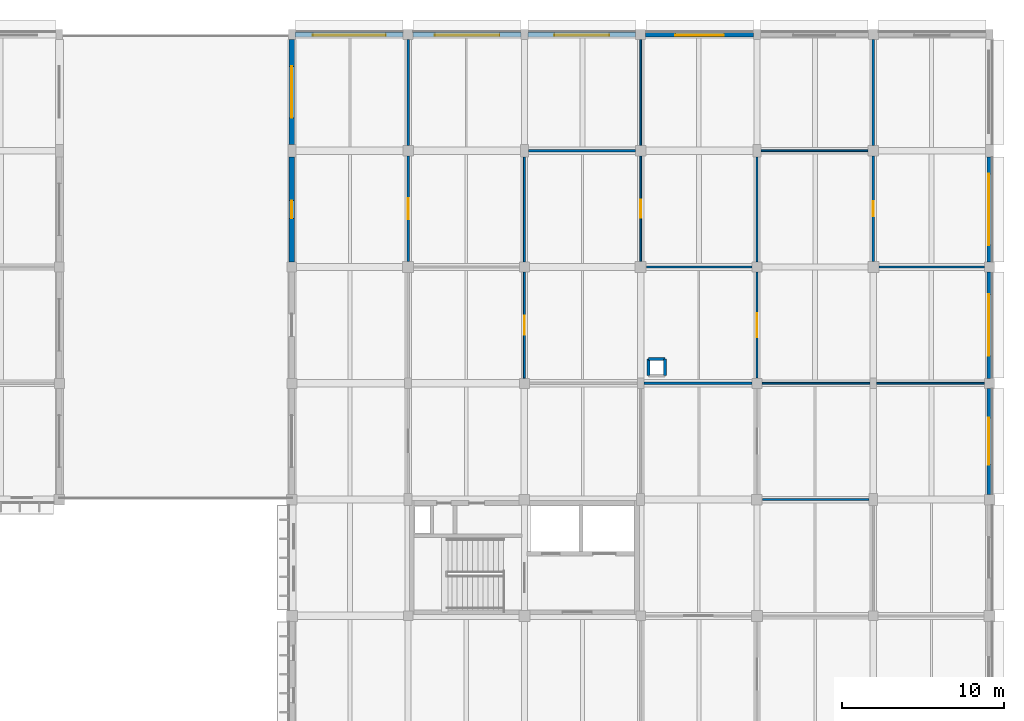
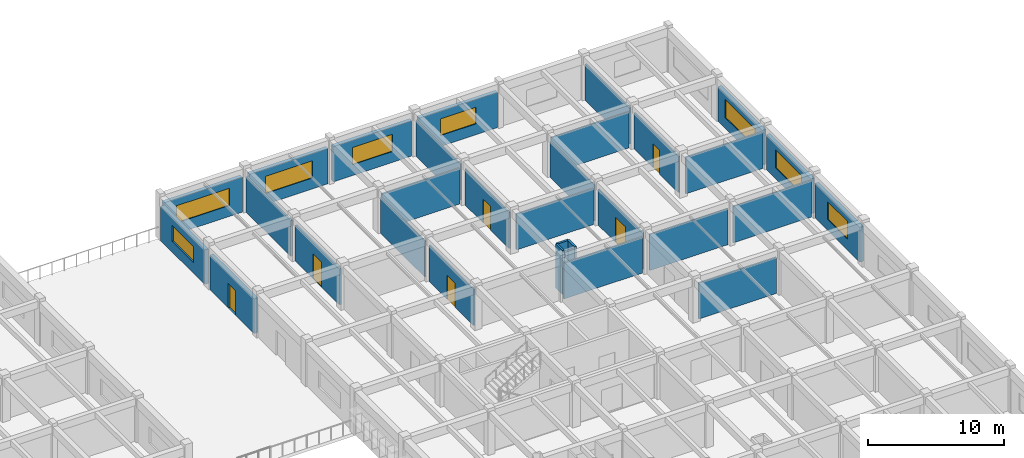
# One storey, part 94 of 103: 30 walls, 8 windows, 6 doors, 14 openings.
"""IFC4 building model written with IfcOpenShell, lengths in metres."""

from ifc_helpers import new_model, si_unit, direction, frame, frame_2d, origin, place, context, subcontext, project, spatial, rectangle, extrude, material, layer, layer_set, type_object, element, fill, save


model = new_model("IFC4")

# Units and contexts
model_context = context("Model", 3, precision=1e-05, world=origin(), true_north=direction((0.0, 1.0)))
body_context = subcontext(model_context, "Body", "Model", "MODEL_VIEW")
ifc_project = project(units=[si_unit("LENGTHUNIT", "METRE"), si_unit("AREAUNIT", "SQUARE_METRE"), si_unit("VOLUMEUNIT", "CUBIC_METRE"), si_unit("PLANEANGLEUNIT", "RADIAN"), si_unit("MASSUNIT", "GRAM", prefix="KILO")], contexts=[model_context])

# Site, building, storey
site_placement = place(None, origin())
site = spatial("IfcSite", under=ifc_project, at=site_placement, CompositionType="ELEMENT")
building_placement = place(site_placement, origin())
building = spatial("IfcBuilding", under=site, at=building_placement, Name="Thalmaran Polytechnic", CompositionType="ELEMENT")
storey_placement = place(building_placement, frame((0.0, 0.0, 14.39990234375)))
storey = spatial("IfcBuildingStorey", under=building, at=storey_placement, Name="L03", CompositionType="ELEMENT", Elevation=14.39990234375)

# Wall, opening, door
ifc_material_1 = material(Name="Precast concrete C40/50", Category="concrete")
ifc_layer_1 = layer(ifc_material_1, 0.330078125, Name="Precast concrete C40/50")
ifc_layer_set_1 = layer_set([ifc_layer_1], Name="Precast concrete C40/50")
wall_type_1 = type_object("IfcWallType", Name="WL-EW02", PredefinedType="STANDARD", material=ifc_layer_set_1)
wall_1_placement = place(storey_placement, frame((129.60009765625, 108.300048828125, 0.0), z_axis=(0.0, 0.0, 1.0), x_axis=(0.0, 1.0, 0.0)))
wall_1 = element("IfcWall", 1, at=wall_1_placement, inside=storey, type_object=wall_type_1, Name="Terrace Access Wall L03-002", PredefinedType="STANDARD", context=body_context, shape_type="SweptSolid", body=[
    extrude(rectangle(XDim=6.52490234375, YDim=0.330078125, at=frame_2d((3.262451171875, 0.0))), origin(), (0.0, 0.0, 1.0), 3.110107421875),
])
opening_1_placement = place(wall_1_placement, frame((2.71240234375, 0.0, 0.0)))
opening_1 = element("IfcOpeningElement", 2, at=opening_1_placement, cuts=wall_1, Name="Opening TD-004", PredefinedType="OPENING", context=body_context, shape_type="SweptSolid", body=[
    extrude(rectangle(XDim=1.10009765625, YDim=2.199951171875, at=frame_2d((0.550048828125, 1.10009765625))), frame((0.0, 0.175048828125, 0.0), z_axis=(0.0, -1.0, 0.0), x_axis=(1.0, 0.0, 0.0)), (0.0, 0.0, 1.0), 0.35009765625),
])
ifc_material_2 = material(Name="Anodised aluminium and safety glass", Category="aluminium")
door_type_1 = type_object("IfcDoorType", Name="DR-TD02", OperationType="NOTDEFINED", PredefinedType="DOOR", material=ifc_material_2)
door_1_placement = place(opening_1_placement, origin())
door_1 = element("IfcDoor", 3, at=door_1_placement, inside=storey, type_object=door_type_1, Name="Terrace Access Door TD-004", OperationType="SINGLE_SWING_RIGHT", OverallHeight=2.199951171875, OverallWidth=1.10009765625, PredefinedType="DOOR", context=body_context, shape_type="SweptSolid", body=[
    extrude(rectangle(XDim=1.10009765625, YDim=2.199951171875, at=frame_2d((0.550048828125, 1.10009765625))), frame((0.0, 0.02490234375, 0.0), z_axis=(0.0, -1.0, 0.0), x_axis=(1.0, 0.0, 0.0)), (0.0, 0.0, 1.0), 0.050048828125),
])
fill(opening_1, door_1)

# Wall, opening, window
wall_2_placement = place(storey_placement, frame((129.60009765625, 115.574951171875, 0.0), z_axis=(0.0, 0.0, 1.0), x_axis=(0.0, 1.0, 0.0)))
wall_2 = element("IfcWall", 4, at=wall_2_placement, inside=storey, type_object=wall_type_1, Name="Terrace Access Wall L03-003", PredefinedType="STANDARD", context=body_context, shape_type="SweptSolid", body=[
    extrude(rectangle(XDim=6.505126953125, YDim=0.330078125, at=frame_2d((3.25244140625, 0.0))), origin(), (0.0, 0.0, 1.0), 3.110107421875),
])
opening_2_placement = place(wall_2_placement, frame((1.652587890625, 0.0, 0.949951171875)))
opening_2 = element("IfcOpeningElement", 5, at=opening_2_placement, cuts=wall_2, Name="Opening RW04", PredefinedType="OPENING", context=body_context, shape_type="SweptSolid", body=[
    extrude(rectangle(XDim=3.199951171875, YDim=1.449951171875, at=frame_2d((1.60009765625, 0.72509765625))), frame((0.0, 0.175048828125, 0.0), z_axis=(0.0, -1.0, 0.0), x_axis=(1.0, 0.0, 0.0)), (0.0, 0.0, 1.0), 0.35009765625),
])
ifc_material_3 = material(Name="Thermally broken aluminium and double low-E glass", Category="aluminium")
window_type_1 = type_object("IfcWindowType", Name="WN-RW04", PartitioningType="DOUBLE_PANEL_VERTICAL", PredefinedType="WINDOW", material=ifc_material_3)
window_1_placement = place(opening_2_placement, origin())
window_1 = element("IfcWindow", 6, at=window_1_placement, inside=storey, type_object=window_type_1, Name="Terrace Ribbon Window W-0392", OverallHeight=1.449951171875, OverallWidth=3.199951171875, PartitioningType="SINGLE_PANEL", PredefinedType="WINDOW", context=body_context, shape_type="SweptSolid", body=[
    extrude(rectangle(XDim=3.199951171875, YDim=1.449951171875, at=frame_2d((1.60009765625, 0.72509765625))), frame((0.0, 0.030029296875, 0.0), z_axis=(0.0, -1.0, 0.0), x_axis=(1.0, 0.0, 0.0)), (0.0, 0.0, 1.0), 0.06005859375),
])
fill(opening_2, window_1)

ifc_layer_2 = layer(ifc_material_1, 0.31005859375, Name="Precast concrete C40/50")
ifc_layer_set_2 = layer_set([ifc_layer_2], Name="Precast concrete C40/50")
wall_type_2 = type_object("IfcWallType", Name="WL-EW03", PredefinedType="STANDARD", material=ifc_layer_set_2)
wall_3_placement = place(storey_placement, frame((129.81005859375, 122.39990234375, 0.0), z_axis=(0.0, 0.0, 1.0), x_axis=(1.0, 0.0, 0.0)))
wall_3 = element("IfcWall", 7, at=wall_3_placement, inside=storey, type_object=wall_type_2, Name="Exterior Precast Facade Wall L03-004", PredefinedType="STANDARD", context=body_context, shape_type="SweptSolid", body=[
    extrude(rectangle(XDim=6.679931640625, YDim=0.31005859375, at=frame_2d((3.33984375, 0.0))), origin(), (0.0, 0.0, 1.0), 3.16015625),
])
opening_3_placement = place(wall_3_placement, frame((1.090087890625, 0.0, 0.97998046875)))
opening_3 = element("IfcOpeningElement", 8, at=opening_3_placement, cuts=wall_3, Name="Opening VW01", PredefinedType="OPENING", context=body_context, shape_type="SweptSolid", body=[
    extrude(rectangle(XDim=4.5, YDim=1.550048828125, at=frame_2d((2.25, 0.77490234375))), frame((0.0, 0.1650390625, 0.0), z_axis=(0.0, -1.0, 0.0), x_axis=(1.0, 0.0, 0.0)), (0.0, 0.0, 1.0), 0.330078125),
])
window_type_2 = type_object("IfcWindowType", Name="WN-VZ01", PartitioningType="TRIPLE_PANEL_HORIZONTAL", PredefinedType="WINDOW", material=ifc_material_3)
window_2_placement = place(opening_3_placement, origin())
window_2 = element("IfcWindow", 9, at=window_2_placement, inside=storey, type_object=window_type_2, Name="Streamline Ribbon Window W-0393", OverallHeight=1.550048828125, OverallWidth=4.5, PartitioningType="SINGLE_PANEL", PredefinedType="WINDOW", context=body_context, shape_type="SweptSolid", body=[
    extrude(rectangle(XDim=4.5, YDim=1.550048828125, at=frame_2d((2.25, 0.77490234375))), frame((0.0, -0.030029296875, 0.0), z_axis=(0.0, -1.0, 0.0), x_axis=(1.0, 0.0, 0.0)), (0.0, 0.0, 1.0), 0.06005859375),
])
fill(opening_3, window_2)

wall_4_placement = place(storey_placement, frame((137.110107421875, 122.39990234375, 0.0), z_axis=(0.0, 0.0, 1.0), x_axis=(1.0, 0.0, 0.0)))
wall_4 = element("IfcWall", 10, at=wall_4_placement, inside=storey, type_object=wall_type_2, Name="Exterior Precast Facade Wall L03-005", PredefinedType="STANDARD", context=body_context, shape_type="SweptSolid", body=[
    extrude(rectangle(XDim=6.679931640625, YDim=0.31005859375, at=frame_2d((3.33984375, 0.0))), origin(), (0.0, 0.0, 1.0), 3.18505859375),
])
opening_4_placement = place(wall_4_placement, frame((1.340087890625, 0.0, 0.97998046875)))
opening_4 = element("IfcOpeningElement", 11, at=opening_4_placement, cuts=wall_4, Name="Opening VW02", PredefinedType="OPENING", context=body_context, shape_type="SweptSolid", body=[
    extrude(rectangle(XDim=4.0, YDim=1.550048828125, at=frame_2d((2.0, 0.77490234375))), frame((0.0, 0.1650390625, 0.0), z_axis=(0.0, -1.0, 0.0), x_axis=(1.0, 0.0, 0.0)), (0.0, 0.0, 1.0), 0.330078125),
])
window_type_3 = type_object("IfcWindowType", Name="WN-VZ02", PartitioningType="TRIPLE_PANEL_HORIZONTAL", PredefinedType="WINDOW", material=ifc_material_3)
window_3_placement = place(opening_4_placement, origin())
window_3 = element("IfcWindow", 12, at=window_3_placement, inside=storey, type_object=window_type_3, Name="Streamline Ribbon Window W-0394", OverallHeight=1.550048828125, OverallWidth=4.0, PartitioningType="SINGLE_PANEL", PredefinedType="WINDOW", context=body_context, shape_type="SweptSolid", body=[
    extrude(rectangle(XDim=4.0, YDim=1.550048828125, at=frame_2d((2.0, 0.77490234375))), frame((0.0, -0.030029296875, 0.0), z_axis=(0.0, -1.0, 0.0), x_axis=(1.0, 0.0, 0.0)), (0.0, 0.0, 1.0), 0.06005859375),
])
fill(opening_4, window_3)

wall_5_placement = place(storey_placement, frame((144.2099609375, 122.39990234375, 0.0), z_axis=(0.0, 0.0, 1.0), x_axis=(1.0, 0.0, 0.0)))
wall_5 = element("IfcWall", 13, at=wall_5_placement, inside=storey, type_object=wall_type_2, Name="Exterior Precast Facade Wall L03-006", PredefinedType="STANDARD", context=body_context, shape_type="SweptSolid", body=[
    extrude(rectangle(XDim=6.679931640625, YDim=0.31005859375, at=frame_2d((3.33984375, 0.0))), origin(), (0.0, 0.0, 1.0), 3.18505859375),
])
opening_5_placement = place(wall_5_placement, frame((1.639892578125, 0.0, 0.97998046875)))
opening_5 = element("IfcOpeningElement", 14, at=opening_5_placement, cuts=wall_5, Name="Opening VW03", PredefinedType="OPENING", context=body_context, shape_type="SweptSolid", body=[
    extrude(rectangle(XDim=3.39990234375, YDim=1.550048828125, at=frame_2d((1.699951171875, 0.77490234375))), frame((0.0, 0.1650390625, 0.0), z_axis=(0.0, -1.0, 0.0), x_axis=(1.0, 0.0, 0.0)), (0.0, 0.0, 1.0), 0.330078125),
])
window_type_4 = type_object("IfcWindowType", Name="WN-VZ03", PartitioningType="DOUBLE_PANEL_VERTICAL", PredefinedType="WINDOW", material=ifc_material_3)
window_4_placement = place(opening_5_placement, origin())
window_4 = element("IfcWindow", 15, at=window_4_placement, inside=storey, type_object=window_type_4, Name="Streamline Ribbon Window W-0395", OverallHeight=1.550048828125, OverallWidth=3.39990234375, PartitioningType="SINGLE_PANEL", PredefinedType="WINDOW", context=body_context, shape_type="SweptSolid", body=[
    extrude(rectangle(XDim=3.39990234375, YDim=1.550048828125, at=frame_2d((1.699951171875, 0.77490234375))), frame((0.0, -0.030029296875, 0.0), z_axis=(0.0, -1.0, 0.0), x_axis=(1.0, 0.0, 0.0)), (0.0, 0.0, 1.0), 0.06005859375),
])
fill(opening_5, window_4)

wall_6_placement = place(storey_placement, frame((151.510009765625, 122.39990234375, 0.0), z_axis=(0.0, 0.0, 1.0), x_axis=(1.0, 0.0, 0.0)))
wall_6 = element("IfcWall", 16, at=wall_6_placement, inside=storey, type_object=wall_type_2, Name="Exterior Precast Facade Wall L03-007", PredefinedType="STANDARD", context=body_context, shape_type="SweptSolid", body=[
    extrude(rectangle(XDim=6.679931640625, YDim=0.31005859375, at=frame_2d((3.33984375, 0.0))), origin(), (0.0, 0.0, 1.0), 3.18505859375),
])
opening_6_placement = place(wall_6_placement, frame((1.840087890625, 0.0, 0.97998046875)))
opening_6 = element("IfcOpeningElement", 17, at=opening_6_placement, cuts=wall_6, Name="Opening VW04", PredefinedType="OPENING", context=body_context, shape_type="SweptSolid", body=[
    extrude(rectangle(XDim=3.0, YDim=1.5, at=frame_2d((1.5, 0.75))), frame((0.0, 0.1650390625, 0.0), z_axis=(0.0, -1.0, 0.0), x_axis=(1.0, 0.0, 0.0)), (0.0, 0.0, 1.0), 0.330078125),
])
window_type_5 = type_object("IfcWindowType", Name="WN-VZ04", PartitioningType="DOUBLE_PANEL_VERTICAL", PredefinedType="WINDOW", material=ifc_material_3)
window_5_placement = place(opening_6_placement, origin())
window_5 = element("IfcWindow", 18, at=window_5_placement, inside=storey, type_object=window_type_5, Name="Streamline Ribbon Window W-0396", OverallHeight=1.5, OverallWidth=3.0, PartitioningType="SINGLE_PANEL", PredefinedType="WINDOW", context=body_context, shape_type="SweptSolid", body=[
    extrude(rectangle(XDim=3.0, YDim=1.5, at=frame_2d((1.5, 0.75))), frame((0.0, -0.030029296875, 0.0), z_axis=(0.0, -1.0, 0.0), x_axis=(1.0, 0.0, 0.0)), (0.0, 0.0, 1.0), 0.06005859375),
])
fill(opening_6, window_5)

wall_7_placement = place(storey_placement, frame((172.800048828125, 114.824951171875, 0.0), z_axis=(0.0, 0.0, 1.0), x_axis=(0.0, -1.0, 0.0)))
wall_7 = element("IfcWall", 19, at=wall_7_placement, inside=storey, type_object=wall_type_2, Name="Exterior Precast Facade Wall L03-011", PredefinedType="STANDARD", context=body_context, shape_type="SweptSolid", body=[
    extrude(rectangle(XDim=6.52490234375, YDim=0.31005859375, at=frame_2d((3.262451171875, 0.0))), origin(), (0.0, 0.0, 1.0), 3.135009765625),
])
opening_7_placement = place(wall_7_placement, frame((1.0625, 0.0, 0.97998046875)))
opening_7 = element("IfcOpeningElement", 20, at=opening_7_placement, cuts=wall_7, Name="Opening VW16", PredefinedType="OPENING", context=body_context, shape_type="SweptSolid", body=[
    extrude(rectangle(XDim=4.39990234375, YDim=1.64990234375, at=frame_2d((2.199951171875, 0.824951171875))), frame((0.0, 0.1650390625, 0.0), z_axis=(0.0, -1.0, 0.0), x_axis=(1.0, 0.0, 0.0)), (0.0, 0.0, 1.0), 0.330078125),
])
window_type_6 = type_object("IfcWindowType", Name="WN-VZ16", PartitioningType="TRIPLE_PANEL_HORIZONTAL", PredefinedType="WINDOW", material=ifc_material_3)
window_6_placement = place(opening_7_placement, origin())
window_6 = element("IfcWindow", 21, at=window_6_placement, inside=storey, type_object=window_type_6, Name="Streamline Ribbon Window W-0400", OverallHeight=1.64990234375, OverallWidth=4.39990234375, PartitioningType="SINGLE_PANEL", PredefinedType="WINDOW", context=body_context, shape_type="SweptSolid", body=[
    extrude(rectangle(XDim=4.39990234375, YDim=1.64990234375, at=frame_2d((2.199951171875, 0.824951171875))), frame((0.0, -0.030029296875, 0.0), z_axis=(0.0, -1.0, 0.0), x_axis=(1.0, 0.0, 0.0)), (0.0, 0.0, 1.0), 0.06005859375),
])
fill(opening_7, window_6)

wall_8_placement = place(storey_placement, frame((172.800048828125, 107.699951171875, 0.0), z_axis=(0.0, 0.0, 1.0), x_axis=(0.0, -1.0, 0.0)))
wall_8 = element("IfcWall", 22, at=wall_8_placement, inside=storey, type_object=wall_type_2, Name="Exterior Precast Facade Wall L03-012", PredefinedType="STANDARD", context=body_context, shape_type="SweptSolid", body=[
    extrude(rectangle(XDim=6.58984375, YDim=0.31005859375, at=frame_2d((3.294921875, 0.0))), origin(), (0.0, 0.0, 1.0), 3.135009765625),
])
opening_8_placement = place(wall_8_placement, frame((1.39501953125, 0.0, 0.97998046875)))
opening_8 = element("IfcOpeningElement", 23, at=opening_8_placement, cuts=wall_8, Name="Opening VW17", PredefinedType="OPENING", context=body_context, shape_type="SweptSolid", body=[
    extrude(rectangle(XDim=3.800048828125, YDim=1.60009765625, at=frame_2d((1.89990234375, 0.800048828125))), frame((0.0, 0.1650390625, 0.0), z_axis=(0.0, -1.0, 0.0), x_axis=(1.0, 0.0, 0.0)), (0.0, 0.0, 1.0), 0.330078125),
])
window_type_7 = type_object("IfcWindowType", Name="WN-VZ17", PartitioningType="DOUBLE_PANEL_VERTICAL", PredefinedType="WINDOW", material=ifc_material_3)
window_7_placement = place(opening_8_placement, origin())
window_7 = element("IfcWindow", 24, at=window_7_placement, inside=storey, type_object=window_type_7, Name="Streamline Ribbon Window W-0401", OverallHeight=1.60009765625, OverallWidth=3.800048828125, PartitioningType="SINGLE_PANEL", PredefinedType="WINDOW", context=body_context, shape_type="SweptSolid", body=[
    extrude(rectangle(XDim=3.800048828125, YDim=1.60009765625, at=frame_2d((1.89990234375, 0.800048828125))), frame((0.0, -0.030029296875, 0.0), z_axis=(0.0, -1.0, 0.0), x_axis=(1.0, 0.0, 0.0)), (0.0, 0.0, 1.0), 0.06005859375),
])
fill(opening_8, window_7)

wall_9_placement = place(storey_placement, frame((172.800048828125, 100.489990234375, 0.0), z_axis=(0.0, 0.0, 1.0), x_axis=(0.0, -1.0, 0.0)))
wall_9 = element("IfcWall", 25, at=wall_9_placement, inside=storey, type_object=wall_type_2, Name="Exterior Precast Facade Wall L03-013", PredefinedType="STANDARD", context=body_context, shape_type="SweptSolid", body=[
    extrude(rectangle(XDim=6.56494140625, YDim=0.31005859375, at=frame_2d((3.282470703125, 0.0))), origin(), (0.0, 0.0, 1.0), 3.135009765625),
])
opening_9_placement = place(wall_9_placement, frame((1.83251953125, 0.0, 0.97998046875)))
opening_9 = element("IfcOpeningElement", 26, at=opening_9_placement, cuts=wall_9, Name="Opening VW18", PredefinedType="OPENING", context=body_context, shape_type="SweptSolid", body=[
    extrude(rectangle(XDim=2.89990234375, YDim=1.60009765625, at=frame_2d((1.449951171875, 0.800048828125))), frame((0.0, 0.1650390625, 0.0), z_axis=(0.0, -1.0, 0.0), x_axis=(1.0, 0.0, 0.0)), (0.0, 0.0, 1.0), 0.330078125),
])
window_type_8 = type_object("IfcWindowType", Name="WN-VZ18", PartitioningType="DOUBLE_PANEL_VERTICAL", PredefinedType="WINDOW", material=ifc_material_3)
window_8_placement = place(opening_9_placement, origin())
window_8 = element("IfcWindow", 27, at=window_8_placement, inside=storey, type_object=window_type_8, Name="Streamline Ribbon Window W-0402", OverallHeight=1.60009765625, OverallWidth=2.89990234375, PartitioningType="SINGLE_PANEL", PredefinedType="WINDOW", context=body_context, shape_type="SweptSolid", body=[
    extrude(rectangle(XDim=2.89990234375, YDim=1.60009765625, at=frame_2d((1.449951171875, 0.800048828125))), frame((0.0, -0.030029296875, 0.0), z_axis=(0.0, -1.0, 0.0), x_axis=(1.0, 0.0, 0.0)), (0.0, 0.0, 1.0), 0.06005859375),
])
fill(opening_9, window_8)

# Walls
ifc_material_4 = material(Name="Autoclaved aerated masonry", Category="masonry")
ifc_layer_3 = layer(ifc_material_4, 0.179931640625, Name="Autoclaved aerated masonry")
ifc_layer_set_3 = layer_set([ifc_layer_3], Name="Autoclaved aerated masonry")
wall_type_3 = type_object("IfcWallType", Name="WL-IW04", PredefinedType="PARTITIONING", material=ifc_layer_set_3)
for number, where, z_axis, x_axis, name in (
    (28, (152.7099609375, 101.2900390625, 0.0), (0.0, 0.0, 1.0), (0.0, 1.0, 0.0), "Fume Exhaust Riser Shaft Wall L03 (21,14)-E"),
    (29, (152.7099609375, 102.31005859375, 0.0), (0.0, 0.0, 1.0), (-1.0, 0.0, 0.0), "Fume Exhaust Riser Shaft Wall L03 (21,14)-N"),
    (30, (151.68994140625, 102.31005859375, 0.0), (0.0, 0.0, 1.0), (0.0, -1.0, 0.0), "Fume Exhaust Riser Shaft Wall L03 (21,14)-W"),
):
    element("IfcWall", number, at=place(storey_placement, frame(where, z_axis=z_axis, x_axis=x_axis)), inside=storey, type_object=wall_type_3, Name=name, PredefinedType="PARTITIONING", context=body_context, shape_type="SweptSolid", body=[
        extrude(rectangle(XDim=1.02001953125, YDim=0.179931640625, at=frame_2d((0.510009765625, 0.0))), origin(), (0.0, 0.0, 1.0), 3.940185546875),
    ])

# Wall, opening, door
ifc_material_5 = material(Name="Gypsum acoustic partition")
ifc_layer_4 = layer(ifc_material_5, 0.159912109375, Name="Gypsum acoustic partition")
ifc_layer_set_4 = layer_set([ifc_layer_4], Name="Gypsum acoustic partition")
wall_type_4 = type_object("IfcWallType", Name="WL-IW05", PredefinedType="PARTITIONING", material=ifc_layer_set_4)
wall_10_placement = place(storey_placement, frame((136.800048828125, 108.344970703125, 0.0), z_axis=(0.0, 0.0, 1.0), x_axis=(0.0, 1.0, 0.0)))
wall_10 = element("IfcWall", 31, at=wall_10_placement, inside=storey, type_object=wall_type_4, Name="Interior Partition IW05 L03-069", PredefinedType="PARTITIONING", context=body_context, shape_type="SweptSolid", body=[
    extrude(rectangle(XDim=6.525146484375, YDim=0.159912109375, at=frame_2d((3.2626953125, 0.0))), origin(), (0.0, 0.0, 1.0), 3.22021484375),
])
opening_10_placement = place(wall_10_placement, frame((2.62255859375, 0.0, 0.0)))
opening_10 = element("IfcOpeningElement", 32, at=opening_10_placement, cuts=wall_10, Name="Opening D-L03-031-5-10-1", PredefinedType="OPENING", context=body_context, shape_type="SweptSolid", body=[
    extrude(rectangle(XDim=1.280029296875, YDim=2.239990234375, at=frame_2d((0.64013671875, 1.1201171875))), frame((0.0, 0.08984375, 0.0), z_axis=(0.0, -1.0, 0.0), x_axis=(1.0, 0.0, 0.0)), (0.0, 0.0, 1.0), 0.179931640625),
])
ifc_material_6 = material(Name="Powder-coated fire-rated steel", Category="steel")
door_type_2 = type_object("IfcDoorType", Name="DR-ZD10", OperationType="NOTDEFINED", PredefinedType="DOOR", material=ifc_material_6)
door_2_placement = place(opening_10_placement, origin())
door_2 = element("IfcDoor", 33, at=door_2_placement, inside=storey, type_object=door_type_2, Name="Marine Systems Laboratory L03-10 Door 1", OperationType="SINGLE_SWING_LEFT", OverallHeight=2.239990234375, OverallWidth=1.280029296875, PredefinedType="DOOR", context=body_context, shape_type="SweptSolid", body=[
    extrude(rectangle(XDim=1.280029296875, YDim=2.239990234375, at=frame_2d((0.64013671875, 1.1201171875))), frame((0.0, 0.02490234375, 0.0), z_axis=(0.0, -1.0, 0.0), x_axis=(1.0, 0.0, 0.0)), (0.0, 0.0, 1.0), 0.050048828125),
])
fill(opening_10, door_2)

# Walls
wall_11_placement = place(storey_placement, frame((136.800048828125, 115.530029296875, 0.0), z_axis=(0.0, 0.0, 1.0), x_axis=(0.0, 1.0, 0.0)))
element("IfcWall", 34, at=wall_11_placement, inside=storey, type_object=wall_type_4, Name="Interior Partition IW05 L03-070", PredefinedType="PARTITIONING", context=body_context, shape_type="SweptSolid", body=[
    extrude(rectangle(XDim=6.554931640625, YDim=0.159912109375, at=frame_2d((3.27734375, 0.0))), origin(), (0.0, 0.0, 1.0), 3.22021484375),
])
ifc_layer_5 = layer(ifc_material_5, 0.1298828125, Name="Gypsum acoustic partition")
ifc_layer_set_5 = layer_set([ifc_layer_5], Name="Gypsum acoustic partition")
wall_type_5 = type_object("IfcWallType", Name="WL-IW07", PredefinedType="PARTITIONING", material=ifc_layer_set_5)
wall_12_placement = place(storey_placement, frame((144.2548828125, 115.199951171875, 0.0), z_axis=(0.0, 0.0, 1.0), x_axis=(1.0, 0.0, 0.0)))
element("IfcWall", 35, at=wall_12_placement, inside=storey, type_object=wall_type_5, Name="Interior Partition IW07 L03-080", PredefinedType="PARTITIONING", context=body_context, shape_type="SweptSolid", body=[
    extrude(rectangle(XDim=6.615234375, YDim=0.1298828125, at=frame_2d((3.3076171875, 0.0))), origin(), (0.0, 0.0, 1.0), 3.215087890625),
])
wall_13_placement = place(storey_placement, frame((151.4150390625, 100.800048828125, 0.0), z_axis=(0.0, 0.0, 1.0), x_axis=(1.0, 0.0, 0.0)))
element("IfcWall", 36, at=wall_13_placement, inside=storey, type_object=wall_type_5, Name="Interior Partition IW07 L03-088", PredefinedType="PARTITIONING", context=body_context, shape_type="SweptSolid", body=[
    extrude(rectangle(XDim=6.669921875, YDim=0.1298828125, at=frame_2d((3.3349609375, 0.0))), origin(), (0.0, 0.0, 1.0), 3.22021484375),
])
wall_14_placement = place(storey_placement, frame((151.544921875, 108.0, 0.0), z_axis=(0.0, 0.0, 1.0), x_axis=(1.0, 0.0, 0.0)))
element("IfcWall", 37, at=wall_14_placement, inside=storey, type_object=wall_type_5, Name="Interior Partition IW07 L03-090", PredefinedType="PARTITIONING", context=body_context, shape_type="SweptSolid", body=[
    extrude(rectangle(XDim=6.550048828125, YDim=0.1298828125, at=frame_2d((3.27490234375, 0.0))), origin(), (0.0, 0.0, 1.0), 3.22021484375),
])
wall_15_placement = place(storey_placement, frame((158.72998046875, 93.60009765625, 0.0), z_axis=(0.0, 0.0, 1.0), x_axis=(1.0, 0.0, 0.0)))
element("IfcWall", 38, at=wall_15_placement, inside=storey, type_object=wall_type_5, Name="Interior Partition IW07 L03-096", PredefinedType="PARTITIONING", context=body_context, shape_type="SweptSolid", body=[
    extrude(rectangle(XDim=6.614990234375, YDim=0.1298828125, at=frame_2d((3.3076171875, 0.0))), origin(), (0.0, 0.0, 1.0), 3.239990234375),
])

# Wall, opening, door
wall_16_placement = place(storey_placement, frame((165.60009765625, 108.344970703125, 0.0), z_axis=(0.0, 0.0, 1.0), x_axis=(0.0, 1.0, 0.0)))
wall_16 = element("IfcWall", 39, at=wall_16_placement, inside=storey, type_object=wall_type_5, Name="Interior Partition IW07 L03-098", PredefinedType="PARTITIONING", context=body_context, shape_type="SweptSolid", body=[
    extrude(rectangle(XDim=6.525146484375, YDim=0.1298828125, at=frame_2d((3.2626953125, 0.0))), origin(), (0.0, 0.0, 1.0), 3.2451171875),
])
opening_11_placement = place(wall_16_placement, frame((2.78759765625, 0.0, 0.0)))
opening_11 = element("IfcOpeningElement", 40, at=opening_11_placement, cuts=wall_16, Name="Opening D-L03-033-5-12-1", PredefinedType="OPENING", context=body_context, shape_type="SweptSolid", body=[
    extrude(rectangle(XDim=0.949951171875, YDim=2.14990234375, at=frame_2d((0.47509765625, 1.074951171875))), frame((0.0, 0.074951171875, 0.0), z_axis=(0.0, -1.0, 0.0), x_axis=(1.0, 0.0, 0.0)), (0.0, 0.0, 1.0), 0.14990234375),
])
door_type_3 = type_object("IfcDoorType", Name="DR-FD08", OperationType="NOTDEFINED", PredefinedType="DOOR", material=ifc_material_6)
door_3_placement = place(opening_11_placement, origin())
door_3 = element("IfcDoor", 41, at=door_3_placement, inside=storey, type_object=door_type_3, Name="Product Design Studio L03-12 Door 1", OperationType="SINGLE_SWING_LEFT", OverallHeight=2.14990234375, OverallWidth=0.949951171875, PredefinedType="DOOR", context=body_context, shape_type="SweptSolid", body=[
    extrude(rectangle(XDim=0.949951171875, YDim=2.14990234375, at=frame_2d((0.47509765625, 1.074951171875))), frame((0.0, 0.02490234375, 0.0), z_axis=(0.0, -1.0, 0.0), x_axis=(1.0, 0.0, 0.0)), (0.0, 0.0, 1.0), 0.050048828125),
])
fill(opening_11, door_3)

# Walls
wall_17_placement = place(storey_placement, frame((165.60009765625, 115.530029296875, 0.0), z_axis=(0.0, 0.0, 1.0), x_axis=(0.0, 1.0, 0.0)))
element("IfcWall", 42, at=wall_17_placement, inside=storey, type_object=wall_type_5, Name="Interior Partition IW07 L03-100", PredefinedType="PARTITIONING", context=body_context, shape_type="SweptSolid", body=[
    extrude(rectangle(XDim=6.554931640625, YDim=0.1298828125, at=frame_2d((3.27734375, 0.0))), origin(), (0.0, 0.0, 1.0), 3.2451171875),
])
wall_18_placement = place(storey_placement, frame((165.945068359375, 108.0, 0.0), z_axis=(0.0, 0.0, 1.0), x_axis=(1.0, 0.0, 0.0)))
element("IfcWall", 43, at=wall_18_placement, inside=storey, type_object=wall_type_5, Name="Interior Partition IW07 L03-104", PredefinedType="PARTITIONING", context=body_context, shape_type="SweptSolid", body=[
    extrude(rectangle(XDim=6.550048828125, YDim=0.1298828125, at=frame_2d((3.27490234375, 0.0))), origin(), (0.0, 0.0, 1.0), 3.280029296875),
])

# Wall, opening, door
ifc_layer_6 = layer(ifc_material_5, 0.114990234375, Name="Gypsum acoustic partition")
ifc_layer_set_6 = layer_set([ifc_layer_6], Name="Gypsum acoustic partition")
wall_type_6 = type_object("IfcWallType", Name="WL-IW08", PredefinedType="PARTITIONING", material=ifc_layer_set_6)
wall_19_placement = place(storey_placement, frame((144.0, 101.114990234375, 0.0), z_axis=(0.0, 0.0, 1.0), x_axis=(0.0, 1.0, 0.0)))
wall_19 = element("IfcWall", 44, at=wall_19_placement, inside=storey, type_object=wall_type_6, Name="Interior Partition IW08 L03-071", PredefinedType="PARTITIONING", context=body_context, shape_type="SweptSolid", body=[
    extrude(rectangle(XDim=6.580078125, YDim=0.114990234375, at=frame_2d((3.2900390625, 0.0))), origin(), (0.0, 0.0, 1.0), 3.25),
])
opening_12_placement = place(wall_19_placement, frame((2.699951171875, 0.0, 0.0)))
opening_12 = element("IfcOpeningElement", 45, at=opening_12_placement, cuts=wall_19, Name="Opening D-L03-029-5-08-1", PredefinedType="OPENING", context=body_context, shape_type="SweptSolid", body=[
    extrude(rectangle(XDim=1.179931640625, YDim=2.179931640625, at=frame_2d((0.58984375, 1.08984375))), frame((0.0, 0.0673828125, 0.0), z_axis=(0.0, -1.0, 0.0), x_axis=(1.0, 0.0, 0.0)), (0.0, 0.0, 1.0), 0.135009765625),
])
ifc_material_7 = material(Name="Acoustic hardwood", Category="wood")
door_type_4 = type_object("IfcDoorType", Name="DR-ZD05", OperationType="NOTDEFINED", PredefinedType="DOOR", material=ifc_material_7)
door_4_placement = place(opening_12_placement, origin())
door_4 = element("IfcDoor", 46, at=door_4_placement, inside=storey, type_object=door_type_4, Name="Process Engineering Laboratory L03-08 Door 1", OperationType="SINGLE_SWING_LEFT", OverallHeight=2.179931640625, OverallWidth=1.179931640625, PredefinedType="DOOR", context=body_context, shape_type="SweptSolid", body=[
    extrude(rectangle(XDim=1.179931640625, YDim=2.179931640625, at=frame_2d((0.58984375, 1.08984375))), frame((0.0, 0.02490234375, 0.0), z_axis=(0.0, -1.0, 0.0), x_axis=(1.0, 0.0, 0.0)), (0.0, 0.0, 1.0), 0.050048828125),
])
fill(opening_12, door_4)

# Wall
wall_20_placement = place(storey_placement, frame((144.0, 108.304931640625, 0.0), z_axis=(0.0, 0.0, 1.0), x_axis=(0.0, 1.0, 0.0)))
element("IfcWall", 47, at=wall_20_placement, inside=storey, type_object=wall_type_6, Name="Interior Partition IW08 L03-073", PredefinedType="PARTITIONING", context=body_context, shape_type="SweptSolid", body=[
    extrude(rectangle(XDim=6.51513671875, YDim=0.114990234375, at=frame_2d((3.257568359375, 0.0))), origin(), (0.0, 0.0, 1.0), 3.2451171875),
])

# Wall, opening, door
wall_21_placement = place(storey_placement, frame((151.199951171875, 108.344970703125, 0.0), z_axis=(0.0, 0.0, 1.0), x_axis=(0.0, 1.0, 0.0)))
wall_21 = element("IfcWall", 48, at=wall_21_placement, inside=storey, type_object=wall_type_6, Name="Interior Partition IW08 L03-079", PredefinedType="PARTITIONING", context=body_context, shape_type="SweptSolid", body=[
    extrude(rectangle(XDim=6.525146484375, YDim=0.114990234375, at=frame_2d((3.2626953125, 0.0))), origin(), (0.0, 0.0, 1.0), 3.2451171875),
])
opening_13_placement = place(wall_21_placement, frame((2.71240234375, 0.0, 0.0)))
opening_13 = element("IfcOpeningElement", 49, at=opening_13_placement, cuts=wall_21, Name="Opening D-L03-032-5-11-1", PredefinedType="OPENING", context=body_context, shape_type="SweptSolid", body=[
    extrude(rectangle(XDim=1.10009765625, YDim=2.14990234375, at=frame_2d((0.550048828125, 1.074951171875))), frame((0.0, 0.0673828125, 0.0), z_axis=(0.0, -1.0, 0.0), x_axis=(1.0, 0.0, 0.0)), (0.0, 0.0, 1.0), 0.135009765625),
])
door_type_5 = type_object("IfcDoorType", Name="DR-FD07", OperationType="NOTDEFINED", PredefinedType="DOOR", material=ifc_material_6)
door_5_placement = place(opening_13_placement, origin())
door_5 = element("IfcDoor", 50, at=door_5_placement, inside=storey, type_object=door_type_5, Name="Photonics and Electronics Laboratory L03-11 Door 1", OperationType="SINGLE_SWING_RIGHT", OverallHeight=2.14990234375, OverallWidth=1.10009765625, PredefinedType="DOOR", context=body_context, shape_type="SweptSolid", body=[
    extrude(rectangle(XDim=1.10009765625, YDim=2.14990234375, at=frame_2d((0.550048828125, 1.074951171875))), frame((0.0, 0.02490234375, 0.0), z_axis=(0.0, -1.0, 0.0), x_axis=(1.0, 0.0, 0.0)), (0.0, 0.0, 1.0), 0.050048828125),
])
fill(opening_13, door_5)

# Wall
wall_22_placement = place(storey_placement, frame((151.199951171875, 115.530029296875, 0.0), z_axis=(0.0, 0.0, 1.0), x_axis=(0.0, 1.0, 0.0)))
element("IfcWall", 51, at=wall_22_placement, inside=storey, type_object=wall_type_6, Name="Interior Partition IW08 L03-081", PredefinedType="PARTITIONING", context=body_context, shape_type="SweptSolid", body=[
    extrude(rectangle(XDim=6.554931640625, YDim=0.114990234375, at=frame_2d((3.27734375, 0.0))), origin(), (0.0, 0.0, 1.0), 3.2451171875),
])

# Wall, opening, door
wall_23_placement = place(storey_placement, frame((158.39990234375, 101.114990234375, 0.0), z_axis=(0.0, 0.0, 1.0), x_axis=(0.0, 1.0, 0.0)))
wall_23 = element("IfcWall", 52, at=wall_23_placement, inside=storey, type_object=wall_type_6, Name="Interior Partition IW08 L03-089", PredefinedType="PARTITIONING", context=body_context, shape_type="SweptSolid", body=[
    extrude(rectangle(XDim=6.580078125, YDim=0.114990234375, at=frame_2d((3.2900390625, 0.0))), origin(), (0.0, 0.0, 1.0), 3.25),
])
opening_14_placement = place(wall_23_placement, frame((2.550048828125, 0.0, 0.0)))
opening_14 = element("IfcOpeningElement", 53, at=opening_14_placement, cuts=wall_23, Name="Opening D-L03-030-5-09-1", PredefinedType="OPENING", context=body_context, shape_type="SweptSolid", body=[
    extrude(rectangle(XDim=1.47998046875, YDim=2.280029296875, at=frame_2d((0.739990234375, 1.14013671875))), frame((0.0, 0.0673828125, 0.0), z_axis=(0.0, -1.0, 0.0), x_axis=(1.0, 0.0, 0.0)), (0.0, 0.0, 1.0), 0.135009765625),
])
door_type_6 = type_object("IfcDoorType", Name="DR-ZD09", OperationType="NOTDEFINED", PredefinedType="DOOR", material=ifc_material_6)
door_6_placement = place(opening_14_placement, origin())
door_6 = element("IfcDoor", 54, at=door_6_placement, inside=storey, type_object=door_type_6, Name="Robotics and Automation Laboratory L03-09 Door 1", OperationType="SINGLE_SWING_RIGHT", OverallHeight=2.280029296875, OverallWidth=1.47998046875, PredefinedType="DOOR", context=body_context, shape_type="SweptSolid", body=[
    extrude(rectangle(XDim=1.47998046875, YDim=2.280029296875, at=frame_2d((0.739990234375, 1.14013671875))), frame((0.0, 0.02490234375, 0.0), z_axis=(0.0, -1.0, 0.0), x_axis=(1.0, 0.0, 0.0)), (0.0, 0.0, 1.0), 0.050048828125),
])
fill(opening_14, door_6)

# Walls
wall_24_placement = place(storey_placement, frame((158.39990234375, 108.304931640625, 0.0), z_axis=(0.0, 0.0, 1.0), x_axis=(0.0, 1.0, 0.0)))
element("IfcWall", 55, at=wall_24_placement, inside=storey, type_object=wall_type_6, Name="Interior Partition IW08 L03-091", PredefinedType="PARTITIONING", context=body_context, shape_type="SweptSolid", body=[
    extrude(rectangle(XDim=6.51513671875, YDim=0.114990234375, at=frame_2d((3.257568359375, 0.0))), origin(), (0.0, 0.0, 1.0), 3.2451171875),
])
wall_25_placement = place(storey_placement, frame((158.715087890625, 100.800048828125, 0.0), z_axis=(0.0, 0.0, 1.0), x_axis=(1.0, 0.0, 0.0)))
element("IfcWall", 56, at=wall_25_placement, inside=storey, type_object=wall_type_6, Name="Interior Partition IW08 L03-097", PredefinedType="PARTITIONING", context=body_context, shape_type="SweptSolid", body=[
    extrude(rectangle(XDim=6.669921875, YDim=0.114990234375, at=frame_2d((3.3349609375, 0.0))), origin(), (0.0, 0.0, 1.0), 3.239990234375),
])
wall_26_placement = place(storey_placement, frame((158.655029296875, 115.199951171875, 0.0), z_axis=(0.0, 0.0, 1.0), x_axis=(1.0, 0.0, 0.0)))
element("IfcWall", 57, at=wall_26_placement, inside=storey, type_object=wall_type_6, Name="Interior Partition IW08 L03-099", PredefinedType="PARTITIONING", context=body_context, shape_type="SweptSolid", body=[
    extrude(rectangle(XDim=6.614990234375, YDim=0.114990234375, at=frame_2d((3.3076171875, 0.0))), origin(), (0.0, 0.0, 1.0), 3.239990234375),
])
wall_27_placement = place(storey_placement, frame((165.81494140625, 100.800048828125, 0.0), z_axis=(0.0, 0.0, 1.0), x_axis=(1.0, 0.0, 0.0)))
element("IfcWall", 58, at=wall_27_placement, inside=storey, type_object=wall_type_6, Name="Interior Partition IW08 L03-103", PredefinedType="PARTITIONING", context=body_context, shape_type="SweptSolid", body=[
    extrude(rectangle(XDim=6.670166015625, YDim=0.114990234375, at=frame_2d((3.3349609375, 0.0))), origin(), (0.0, 0.0, 1.0), 3.280029296875),
])

save(model, "model.ifc")
